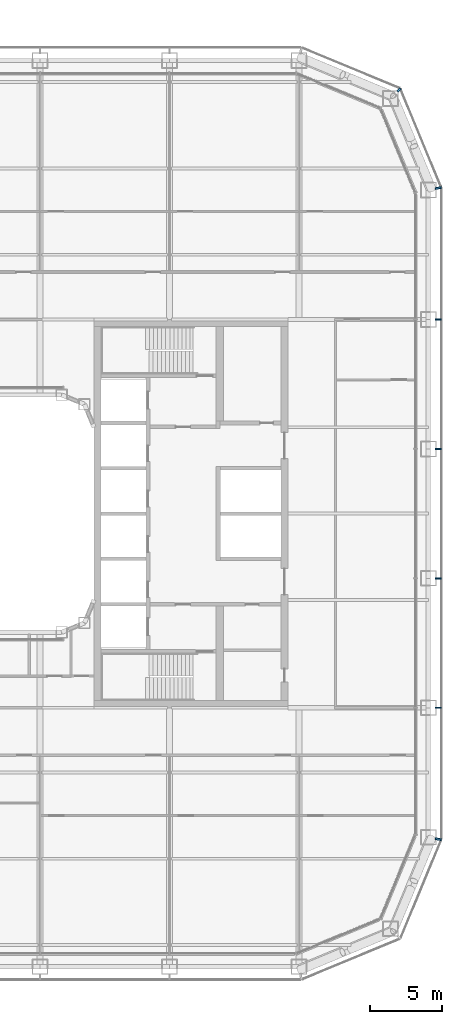
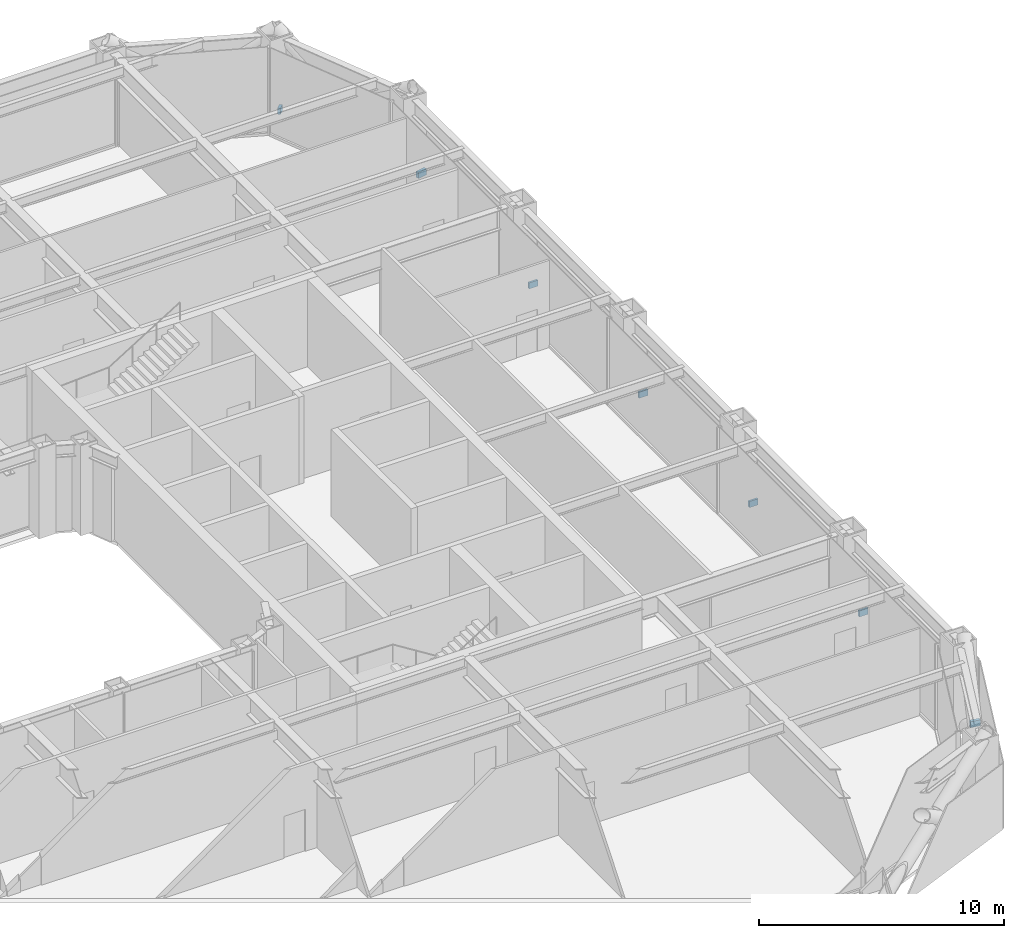
# One storey, part 21 of 29: 7 discrete accessories.
"""IFC4 building model written with IfcOpenShell, lengths in metres."""

from ifc_helpers import new_model, si_unit, direction, frame, origin, origin_2d, place, context, subcontext, project, spatial, rectangle, extrude, material, type_object, element, save


model = new_model("IFC4")

# Units and contexts
model_context = context("Model", 3, precision=1e-05, world=origin(), true_north=direction((0.0, 1.0)))
body_context = subcontext(model_context, "Body", "Model", "MODEL_VIEW")
ifc_project = project(units=[si_unit("LENGTHUNIT", "METRE"), si_unit("AREAUNIT", "SQUARE_METRE"), si_unit("VOLUMEUNIT", "CUBIC_METRE"), si_unit("PLANEANGLEUNIT", "RADIAN"), si_unit("MASSUNIT", "GRAM", prefix="KILO")], contexts=[model_context])

# Site, building, storey
site_placement = place(None, origin())
site = spatial("IfcSite", under=ifc_project, at=site_placement, CompositionType="ELEMENT")
building_placement = place(site_placement, origin())
building = spatial("IfcBuilding", under=site, at=building_placement, Name="Siwar Civic Tower", CompositionType="ELEMENT")
storey_placement = place(building_placement, frame((0.0, 0.0, 49.199951171875)))
storey = spatial("IfcBuildingStorey", under=building, at=storey_placement, Name="L10", CompositionType="ELEMENT", Elevation=49.199951171875)

# Discrete accessories
ifc_material = material(Name="Stainless steel 316", Category="steel")
discrete_accessory_type = type_object("IfcDiscreteAccessoryType", Name="ENV-BRACKET", PredefinedType="BRACKET", material=ifc_material)
for number, where, z_axis, x_axis, name in (
    (1, (32.18994140625, -13.5, -0.14990234375), (0.0, 0.0, 1.0), (1.0, 0.0, 0.0), "Bracket outer skin joint E-01"),
    (2, (32.18994140625, -4.5, -0.14990234375), (0.0, 0.0, 1.0), (1.0, 0.0, 0.0), "Bracket outer skin joint E-02"),
    (3, (32.18994140625, 4.5, -0.14990234375), (0.0, 0.0, 1.0), (1.0, 0.0, 0.0), "Bracket outer skin joint E-03"),
    (4, (32.18994140625, 13.5, -0.14990234375), (0.0, 0.0, 1.0), (1.0, 0.0, 0.0), "Bracket outer skin joint E-04"),
):
    element("IfcDiscreteAccessory", number, at=place(storey_placement, frame(where, z_axis=z_axis, x_axis=x_axis)), inside=storey, type_object=discrete_accessory_type, Name=name, PredefinedType="BRACKET", context=body_context, shape_type="SweptSolid", body=[
        extrude(rectangle(XDim=0.419921875, YDim=0.10009765625, at=origin_2d()), origin(), (0.0, 0.0, 1.0), 0.300048828125),
    ])
for number, where, z_axis, x_axis, name in (
    (5, (32.190185546875, -22.63720703125, -0.14990234375), (0.0, 0.0, 1.0), (0.980785280403, -0.195090322016, 0.0), "Bracket outer skin joint V03"),
    (6, (32.190185546875, 22.63720703125, -0.14990234375), (0.0, 0.0, 1.0), (0.980785280403, 0.195090322016, 0.0), "Bracket outer skin joint V04"),
):
    element("IfcDiscreteAccessory", number, at=place(storey_placement, frame(where, z_axis=z_axis, x_axis=x_axis)), inside=storey, type_object=discrete_accessory_type, Name=name, PredefinedType="BRACKET", context=body_context, shape_type="SweptSolid", body=[
        extrude(rectangle(XDim=0.427734375, YDim=0.13720703125, at=origin_2d()), origin(), (0.0, 0.0, 1.0), 0.300048828125),
    ])
discrete_accessory_placement = place(storey_placement, frame((29.451416015625, 29.451416015625, -0.14990234375), z_axis=(0.0, 0.0, 1.0), x_axis=(0.707106781187, 0.707106781187, 0.0)))
element("IfcDiscreteAccessory", 7, at=discrete_accessory_placement, inside=storey, type_object=discrete_accessory_type, Name="Bracket outer skin joint V05", PredefinedType="BRACKET", context=body_context, shape_type="SweptSolid", body=[
    extrude(rectangle(XDim=0.287109375, YDim=0.12939453125, at=origin_2d()), origin(), (0.0, 0.0, 1.0), 0.300048828125),
])

save(model, "model.ifc")
